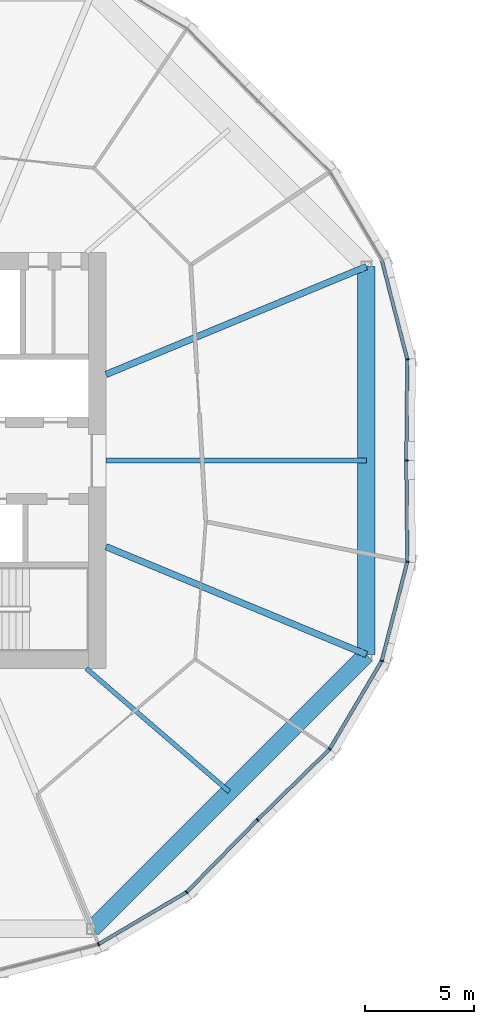
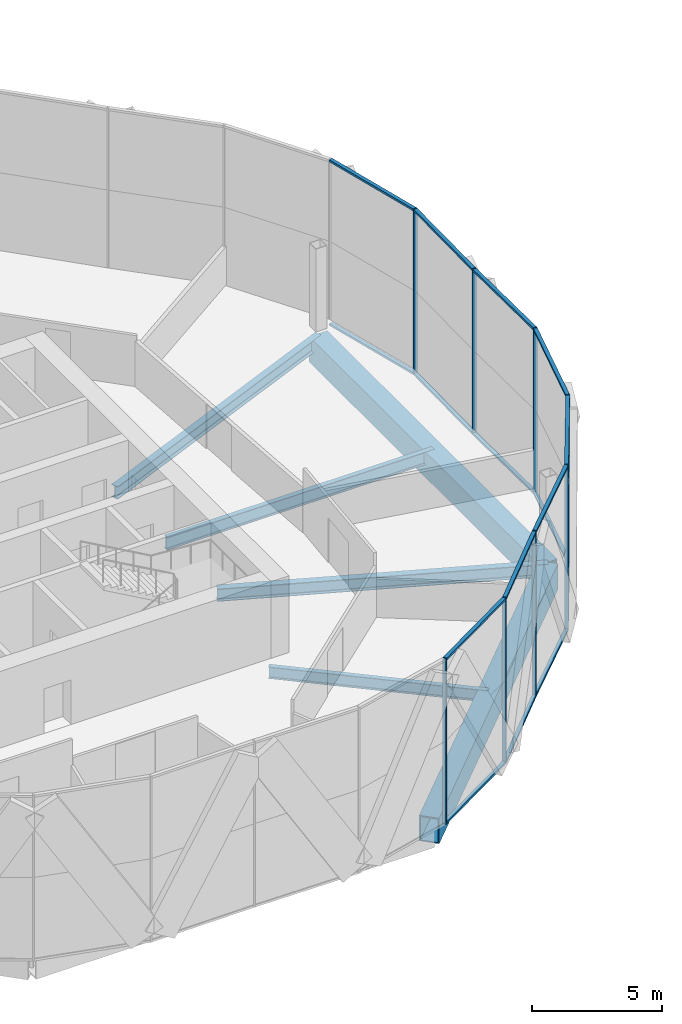
# One storey, part 6 of 31: 24 members, 6 beams, 3 elements without a shape of their own.
"""IFC4 building model written with IfcOpenShell, lengths in metres."""

import ifcopenshell
import ifcopenshell.guid

model = None  # the IFC model being written
_history = None  # IfcOwnerHistory: only IFC2X3 demands one
_inside = {}  # id of a spatial element -> (the spatial element, [elements in it])
_under = {}  # id of a project, library or spatial element -> (it, [spatial elements below it])
_declared = {}  # id of a project -> (the project, [libraries it declares])
_typed = {}  # id of a type object -> (the type object, [elements of that type])
_made_of = {}  # id of a material, layer set ... -> (it, [elements and type objects made of it])


def new_model(schema):
    """Start an empty IFC model of exactly this schema.

    Asked for "IFC4X3", IfcOpenShell would pick the latest addendum, in which some entities
    have other attributes; the version numbers below select the first issue.
    IFC2X3 requires an IfcOwnerHistory on every rooted entity: one is made here for all.
    """
    global model, _history
    if schema == "IFC4X3":
        model = ifcopenshell.file(schema_version=(4, 3, 0, 0))
    else:
        model = ifcopenshell.file(schema=schema)
    _inside.clear()
    _under.clear()
    _declared.clear()
    _typed.clear()
    _made_of.clear()
    _history = None
    if model.schema == "IFC2X3":
        org = make("IfcOrganization", Name="unknown")
        user = make(
            "IfcPersonAndOrganization",
            ThePerson=make("IfcPerson", FamilyName="unknown"),
            TheOrganization=org,
        )
        app = make(
            "IfcApplication",
            ApplicationDeveloper=org,
            Version="unknown",
            ApplicationFullName="unknown",
            ApplicationIdentifier="unknown",
        )
        _history = make(
            "IfcOwnerHistory",
            OwningUser=user,
            OwningApplication=app,
            ChangeAction="ADDED",
            CreationDate=0,
        )
    return model


def make(cls, **values):
    """One entity of the class cls with the attributes given. An attribute that is None is left unset."""
    return model.create_entity(
        cls, **{name: value for name, value in values.items() if value is not None}
    )


def rooted(cls, **values):
    """An entity with a GlobalId (a new one), such as an element, a storey or a relation."""
    return make(cls, GlobalId=ifcopenshell.guid.new(), OwnerHistory=_history, **values)


def si_unit(unit_type, name, prefix=None):
    """IfcSIUnit, for example si_unit("LENGTHUNIT", "METRE", prefix="MILLI")."""
    return make("IfcSIUnit", UnitType=unit_type, Prefix=prefix, Name=name)


def assignment(units):
    """IfcUnitAssignment: the units of a project."""
    return None if units is None else make("IfcUnitAssignment", Units=units)


def point(xyz):
    """IfcCartesianPoint."""
    return None if xyz is None else make("IfcCartesianPoint", Coordinates=xyz)


def direction(xyz):
    """IfcDirection."""
    return None if xyz is None else make("IfcDirection", DirectionRatios=xyz)


def frame(location, z_axis=None, x_axis=None):
    """IfcAxis2Placement3D, a coordinate frame: its origin and axes. An axis left out is left unset."""
    return make(
        "IfcAxis2Placement3D",
        Location=point(location),
        Axis=direction(z_axis),
        RefDirection=direction(x_axis),
    )


def frame_2d(location, x_axis=None):
    """IfcAxis2Placement2D, a coordinate frame in the plane: its origin and x axis."""
    return make(
        "IfcAxis2Placement2D", Location=point(location), RefDirection=direction(x_axis)
    )


def origin():
    """The frame at (0, 0, 0) with its axes left unset."""
    return frame((0.0, 0.0, 0.0))


def origin_2d():
    """The frame at (0, 0) in the plane with its x axis left unset."""
    return frame_2d((0.0, 0.0))


def place(relative_to, where):
    """IfcLocalPlacement: puts the frame where relative to a parent placement (None: the world)."""
    return make(
        "IfcLocalPlacement", PlacementRelTo=relative_to, RelativePlacement=where
    )


def context(
    kind, dimensions, precision=None, world=None, true_north=None, identifier=None
):
    """IfcGeometricRepresentationContext, for example the 3D "Model" context."""
    return make(
        "IfcGeometricRepresentationContext",
        ContextIdentifier=identifier,
        ContextType=kind,
        CoordinateSpaceDimension=dimensions,
        Precision=precision,
        WorldCoordinateSystem=world,
        TrueNorth=true_north,
    )


def subcontext(parent, identifier, kind, view, scale=None):
    """IfcGeometricRepresentationSubContext, for example "Body" below "Model"."""
    return make(
        "IfcGeometricRepresentationSubContext",
        ContextIdentifier=identifier,
        ContextType=kind,
        ParentContext=parent,
        TargetScale=scale,
        TargetView=view,
    )


def project(units=None, contexts=None):
    """IfcProject with its units and contexts."""
    return rooted(
        "IfcProject",
        Name="project",
        RepresentationContexts=contexts,
        UnitsInContext=assignment(units),
    )


def spatial(cls, under=None, at=None, **own):
    """A site, building, storey or space (cls), placed at a placement, below another one or the project."""
    s = rooted(cls, ObjectPlacement=at, **own)
    if under is not None:
        _under.setdefault(under.id(), (under, []))[1].append(s)
    return s


def profile(cls, at=None, kind="AREA", **sizes):
    """A parametric profile (cls). Its sizes go by their IFC names, for example OverallWidth=200.0."""
    return make(cls, ProfileType=kind, Position=at, **sizes)


def rectangle(**sizes):
    """IfcRectangleProfileDef."""
    return profile("IfcRectangleProfileDef", **sizes)


def hollow_rectangle(**sizes):
    """IfcRectangleHollowProfileDef."""
    return profile("IfcRectangleHollowProfileDef", **sizes)


def i_section(**sizes):
    """IfcIShapeProfileDef."""
    return profile("IfcIShapeProfileDef", **sizes)


def extrude(swept, where, along, depth):
    """IfcExtrudedAreaSolid: the profile swept, set in the frame where, extruded along a direction by depth."""
    return make(
        "IfcExtrudedAreaSolid",
        SweptArea=swept,
        Position=where,
        ExtrudedDirection=direction(along),
        Depth=depth,
    )


def shape(context_of_items, identifier, shape_type, items):
    """IfcShapeRepresentation: the items that make up one representation, for example the "Body"."""
    return make(
        "IfcShapeRepresentation",
        ContextOfItems=context_of_items,
        RepresentationIdentifier=identifier,
        RepresentationType=shape_type,
        Items=items,
    )


def material(Name=None, Category=None):
    """IfcMaterial."""
    return make("IfcMaterial", Name=Name, Category=Category)


def material_profile(
    of_material, cross_section, Name=None, Category=None, Priority=None
):
    """IfcMaterialProfile: a cross section and its material."""
    return make(
        "IfcMaterialProfile",
        Name=Name,
        Material=of_material,
        Profile=cross_section,
        Priority=Priority,
        Category=Category,
    )


def profile_set(profiles, Name=None, composite=None):
    """IfcMaterialProfileSet."""
    return make(
        "IfcMaterialProfileSet",
        Name=Name,
        MaterialProfiles=profiles,
        CompositeProfile=composite,
    )


def made_of(thing, what):
    """Note that an element or type object is made of a material, layer set ...; save() writes the relation."""
    if what is not None:
        _made_of.setdefault(what.id(), (what, []))[1].append(thing)
    return thing


def type_object(cls, material=None, **own):
    """A type object (cls), such as IfcWallType, which elements share."""
    return made_of(rooted(cls, **own), material)


def element(
    cls,
    number,
    at=None,
    inside=None,
    cuts=None,
    type_object=None,
    material=None,
    context=None,
    identifier="Body",
    shape_type=None,
    held_by="IfcProductDefinitionShape",
    body=None,
    shapes=None,
    **own,
):
    """One element of the class cls, such as IfcWall. Its Tag is "e" and its number.

    at: its placement. inside: the storey or other place that contains it. cuts: it is an
    opening in that element (IfcRelVoidsElement). A single representation is given by context,
    identifier, shape_type and body (its items); several are given by shapes. held_by: the class
    of the entity that holds the representations. save() writes the other relations.
    """
    e = rooted(cls, Tag="e%d" % number, ObjectPlacement=at, **own)
    if body is not None:
        shapes = [shape(context, identifier, shape_type, body)]
    if shapes is not None:
        e.Representation = make(held_by, Representations=shapes)
    if inside is not None:
        _inside.setdefault(inside.id(), (inside, []))[1].append(e)
    if cuts is not None:
        rooted(
            "IfcRelVoidsElement", RelatingBuildingElement=cuts, RelatedOpeningElement=e
        )
    if type_object is not None:
        _typed.setdefault(type_object.id(), (type_object, []))[1].append(e)
    return made_of(e, material)


def aggregate(whole, parts):
    """IfcRelAggregates: a whole, such as a stair, and the parts it consists of."""
    return rooted("IfcRelAggregates", RelatingObject=whole, RelatedObjects=parts)


def save(model, path):
    """Write the relations noted so far, then the file.

    IfcRelAggregates (storeys below a building ...), IfcRelContainedInSpatialStructure (elements
    in a storey), IfcRelDefinesByType, IfcRelAssociatesMaterial and IfcRelDeclares: one each for
    every whole, place, type object, material and project.
    """
    for whole, parts in _under.values():
        aggregate(whole, parts)
    for where, things in _inside.values():
        rooted(
            "IfcRelContainedInSpatialStructure",
            RelatedElements=things,
            RelatingStructure=where,
        )
    for kind, things in _typed.values():
        rooted("IfcRelDefinesByType", RelatedObjects=things, RelatingType=kind)
    for what, things in _made_of.values():
        rooted("IfcRelAssociatesMaterial", RelatedObjects=things, RelatingMaterial=what)
    for by, libraries in _declared.values():
        rooted("IfcRelDeclares", RelatingContext=by, RelatedDefinitions=libraries)
    model.write(path)


model = new_model("IFC4")

# Units and contexts
model_context = context("Model", 3, precision=1e-05, world=origin(), true_north=direction((0.0, 1.0)))
body_context = subcontext(model_context, "Body", "Model", "MODEL_VIEW")
ifc_project = project(units=[si_unit("LENGTHUNIT", "METRE"), si_unit("AREAUNIT", "SQUARE_METRE"), si_unit("VOLUMEUNIT", "CUBIC_METRE"), si_unit("PLANEANGLEUNIT", "RADIAN"), si_unit("MASSUNIT", "GRAM", prefix="KILO")], contexts=[model_context])

# Site, building, storey
site_placement = place(None, origin())
site = spatial("IfcSite", under=ifc_project, at=site_placement, CompositionType="ELEMENT")
building_placement = place(site_placement, origin())
building = spatial("IfcBuilding", under=site, at=building_placement, Name="Ogive Gate Towers", CompositionType="ELEMENT")
storey_placement = place(building_placement, frame((0.0, 0.0, 107.39990234375)))
storey = spatial("IfcBuildingStorey", under=building, at=storey_placement, Name="L25", CompositionType="ELEMENT", Elevation=107.39990234375)

# Beams
ifc_material_1 = material(Name="Steel SM460", Category="steel")
ifc_material_profile_1 = material_profile(ifc_material_1, hollow_rectangle(XDim=0.800048828125, YDim=1.199951171875, WallThickness=0.050048828125, at=origin_2d()), Name="BX 1200x800x50")
ifc_profile_set_1 = profile_set([ifc_material_profile_1], Name="Steel SM460")
beam_type_1 = type_object("IfcBeamType", Name="Edge girder BX 1200x800x50", PredefinedType="BEAM", material=ifc_profile_set_1)
beam_1_placement = place(storey_placement, frame((-27.136962890625, -21.39697265625, -0.89990234375), z_axis=(0.707106781187, 0.707106781187, 0.0), x_axis=(-0.707106781187, 0.707106781187, 0.0)))
element("IfcBeam", 1, at=beam_1_placement, inside=storey, type_object=beam_type_1, Name="T1/L25/SBM019", PredefinedType="BEAM", context=body_context, shape_type="SweptSolid", body=[
    extrude(hollow_rectangle(XDim=0.800048828125, YDim=1.199951171875, WallThickness=0.050048828125, at=origin_2d()), origin(), (0.0, 0.0, 1.0), 17.7255859375),
])
beam_2_placement = place(storey_placement, frame((-14.60302734375, -8.863037109375, -0.89990234375), z_axis=(0.0, 1.0, 0.0), x_axis=(-1.0, 0.0, 0.0)))
element("IfcBeam", 2, at=beam_2_placement, inside=storey, type_object=beam_type_1, Name="T1/L25/SBM020", PredefinedType="BEAM", context=body_context, shape_type="SweptSolid", body=[
    extrude(hollow_rectangle(XDim=0.800048828125, YDim=1.199951171875, WallThickness=0.050048828125, at=origin_2d()), origin(), (0.0, 0.0, 1.0), 17.72607421875),
])
ifc_material_2 = material(Name="Steel SM355", Category="steel")
ifc_material_profile_2 = material_profile(ifc_material_2, i_section(OverallWidth=0.300048828125, OverallDepth=0.590087890625, WebThickness=0.012939453125, FlangeThickness=0.02490234375, FilletRadius=0.027099609375, at=origin_2d()), Name="HE 600 A")
ifc_profile_set_2 = profile_set([ifc_material_profile_2], Name="Steel SM355")
beam_type_2 = type_object("IfcBeamType", Name="Radial floor beam HE 600 A", PredefinedType="BEAM", material=ifc_profile_set_2)
for number, where, z_axis, x_axis, name in (
    (3, (-26.5, -3.93505859375, -0.594970703125), (0.923877031545, -0.382689470177, 0.0), (0.382689470177, 0.923877031545, 0.0), "T1/L25/SBM007"),
    (4, (-26.5, 3.93505859375, -0.594970703125), (0.923877031545, 0.382689470177, 0.0), (-0.382689470177, 0.923877031545, 0.0), "T1/L25/SBM009"),
):
    element("IfcBeam", number, at=place(storey_placement, frame(where, z_axis=z_axis, x_axis=x_axis)), inside=storey, type_object=beam_type_2, Name=name, PredefinedType="BEAM", context=body_context, shape_type="SweptSolid", body=[
        extrude(i_section(OverallWidth=0.300048828125, OverallDepth=0.590087890625, WebThickness=0.012939453125, FlangeThickness=0.02490234375, FilletRadius=0.027099609375, at=origin_2d()), origin(), (0.0, 0.0, 1.0), 12.877197265625),
    ])
ifc_material_profile_3 = material_profile(ifc_material_2, i_section(OverallWidth=0.2099609375, OverallDepth=0.550048828125, WebThickness=0.010986328125, FlangeThickness=0.01708984375, FilletRadius=0.02392578125, at=origin_2d()), Name="IPE 550")
ifc_profile_set_3 = profile_set([ifc_material_profile_3], Name="Steel SM355")
beam_type_3 = type_object("IfcBeamType", Name="Radial floor beam IPE 550", PredefinedType="BEAM", material=ifc_profile_set_3)
beam_3_placement = place(storey_placement, frame((-27.39990234375, -9.5, -0.574951171875), z_axis=(0.757366499315, -0.652990034928, 0.0), x_axis=(0.652990034928, 0.757366499315, 0.0)))
element("IfcBeam", 5, at=beam_3_placement, inside=storey, type_object=beam_type_3, Name="T1/L25/SBM006", PredefinedType="BEAM", context=body_context, shape_type="SweptSolid", body=[
    extrude(i_section(OverallWidth=0.2099609375, OverallDepth=0.550048828125, WebThickness=0.010986328125, FlangeThickness=0.01708984375, FilletRadius=0.02392578125, at=origin_2d()), origin(), (0.0, 0.0, 1.0), 8.62158203125),
])
ifc_material_profile_4 = material_profile(ifc_material_2, i_section(OverallWidth=0.219970703125, OverallDepth=0.60009765625, WebThickness=0.011962890625, FlangeThickness=0.01904296875, FilletRadius=0.02392578125, at=origin_2d()), Name="IPE 600")
ifc_profile_set_4 = profile_set([ifc_material_profile_4], Name="Steel SM355")
beam_type_4 = type_object("IfcBeamType", Name="Radial floor beam IPE 600", PredefinedType="BEAM", material=ifc_profile_set_4)
beam_4_placement = place(storey_placement, frame((-26.5, 0.0, -0.599853515625), z_axis=(1.0, 0.0, 0.0), x_axis=(0.0, 1.0, 0.0)))
element("IfcBeam", 6, at=beam_4_placement, inside=storey, type_object=beam_type_4, Name="T1/L25/SBM008", PredefinedType="BEAM", context=body_context, shape_type="SweptSolid", body=[
    extrude(i_section(OverallWidth=0.219970703125, OverallDepth=0.60009765625, WebThickness=0.011962890625, FlangeThickness=0.01904296875, FilletRadius=0.02392578125, at=origin_2d()), origin(), (0.0, 0.0, 1.0), 11.89697265625),
])

# Curtain wall, members
ifc_material_3 = material(Name="Pale metal aluminium", Category="aluminium")
curtain_wall_type = type_object("IfcCurtainWallType", Name="Tower unitised wall, low zone", PredefinedType="NOTDEFINED", material=ifc_material_3)
curtain_wall_1_placement = place(storey_placement, origin())
curtain_wall_1 = element("IfcCurtainWall", 7, at=curtain_wall_1_placement, inside=storey, type_object=curtain_wall_type, Name="CW1 T1 ECW01", PredefinedType="NOTDEFINED")
ifc_material_profile_5 = material_profile(ifc_material_3, rectangle(XDim=0.159912109375, YDim=0.06005859375, at=origin_2d()), Name="60 x 160 aluminium box")
ifc_profile_set_5 = profile_set([ifc_material_profile_5], Name="Pale metal aluminium")
member_type_1 = type_object("IfcMemberType", Name="Tower unitised wall, low zone mullion 60 x 160", PredefinedType="MULLION", material=ifc_profile_set_5)
member_1_placement = place(storey_placement, frame((-12.780029296875, 0.000244140625, -0.2998046875), z_axis=(0.0, 0.0, 1.0), x_axis=(0.999950688785, -0.009930760208, 0.0)))
member_1 = element("IfcMember", 8, at=member_1_placement, type_object=member_type_1, Name="CW1 mullion", PredefinedType="MULLION", context=body_context, shape_type="SweptSolid", body=[
    extrude(rectangle(XDim=0.159912109375, YDim=0.06005859375, at=origin_2d()), origin(), (0.0, 0.0, 1.0), 7.7998046875),
])
member_2_placement = place(storey_placement, frame((-12.73388671875, 4.62158203125, -0.2998046875), z_axis=(0.0, 0.0, 1.0), x_axis=(0.99269640805, 0.120639303069, 0.0)))
member_2 = element("IfcMember", 9, at=member_2_placement, type_object=member_type_1, Name="CW1 mullion", PredefinedType="MULLION", context=body_context, shape_type="SweptSolid", body=[
    extrude(rectangle(XDim=0.159912109375, YDim=0.06005859375, at=origin_2d()), origin(), (0.0, 0.0, 1.0), 7.7998046875),
])

curtain_wall_2_placement = place(storey_placement, origin())
curtain_wall_2 = element("IfcCurtainWall", 10, at=curtain_wall_2_placement, inside=storey, type_object=curtain_wall_type, Name="CW1 T1 ECW07", PredefinedType="NOTDEFINED")
member_3_placement = place(storey_placement, frame((-26.845947265625, -22.10009765625, -0.2998046875), z_axis=(0.0, 0.0, 1.0), x_axis=(0.382683432365, -0.923879532511, 0.0)))
member_3 = element("IfcMember", 11, at=member_3_placement, type_object=member_type_1, Name="CW1 mullion", PredefinedType="MULLION", context=body_context, shape_type="SweptSolid", body=[
    extrude(rectangle(XDim=0.159912109375, YDim=0.06005859375, at=origin_2d()), origin(), (0.0, 0.0, 1.0), 7.7998046875),
])
member_4_placement = place(storey_placement, frame((-22.81640625, -19.719482421875, -0.2998046875), z_axis=(0.0, 0.0, 1.0), x_axis=(0.616637492514, -0.787247231069, 0.0)))
member_4 = element("IfcMember", 12, at=member_4_placement, type_object=member_type_1, Name="CW1 mullion", PredefinedType="MULLION", context=body_context, shape_type="SweptSolid", body=[
    extrude(rectangle(XDim=0.159912109375, YDim=0.06005859375, at=origin_2d()), origin(), (0.0, 0.0, 1.0), 7.7998046875),
])
member_5_placement = place(storey_placement, frame((-19.5810546875, -16.419189453125, -0.2998046875), z_axis=(0.0, 0.0, 1.0), x_axis=(0.714081802495, -0.700062268192, 0.0)))
member_5 = element("IfcMember", 13, at=member_5_placement, type_object=member_type_1, Name="CW1 mullion", PredefinedType="MULLION", context=body_context, shape_type="SweptSolid", body=[
    extrude(rectangle(XDim=0.159912109375, YDim=0.06005859375, at=origin_2d()), origin(), (0.0, 0.0, 1.0), 7.7998046875),
])

curtain_wall_3_placement = place(storey_placement, origin())
curtain_wall_3 = element("IfcCurtainWall", 14, at=curtain_wall_3_placement, inside=storey, type_object=curtain_wall_type, Name="CW1 T1 ECW08", PredefinedType="NOTDEFINED")
member_6_placement = place(storey_placement, frame((-16.280517578125, -13.18359375, -0.2998046875), z_axis=(0.0, 0.0, 1.0), x_axis=(0.787247231069, -0.616637492514, 0.0)))
member_6 = element("IfcMember", 15, at=member_6_placement, type_object=member_type_1, Name="CW1 mullion", PredefinedType="MULLION", context=body_context, shape_type="SweptSolid", body=[
    extrude(rectangle(XDim=0.159912109375, YDim=0.06005859375, at=origin_2d()), origin(), (0.0, 0.0, 1.0), 7.7998046875),
])
member_7_placement = place(storey_placement, frame((-13.89990234375, -9.154052734375, -0.2998046875), z_axis=(0.0, 0.0, 1.0), x_axis=(0.923879532511, -0.382683432365, 0.0)))
member_7 = element("IfcMember", 16, at=member_7_placement, type_object=member_type_1, Name="CW1 mullion", PredefinedType="MULLION", context=body_context, shape_type="SweptSolid", body=[
    extrude(rectangle(XDim=0.159912109375, YDim=0.06005859375, at=origin_2d()), origin(), (0.0, 0.0, 1.0), 7.7998046875),
])
member_8_placement = place(storey_placement, frame((-12.73388671875, -4.62158203125, -0.2998046875), z_axis=(0.0, 0.0, 1.0), x_axis=(0.99269640805, -0.120639303069, 0.0)))
member_8 = element("IfcMember", 17, at=member_8_placement, type_object=member_type_1, Name="CW1 mullion", PredefinedType="MULLION", context=body_context, shape_type="SweptSolid", body=[
    extrude(rectangle(XDim=0.159912109375, YDim=0.06005859375, at=origin_2d()), origin(), (0.0, 0.0, 1.0), 7.7998046875),
])

# Member
ifc_material_profile_6 = material_profile(ifc_material_3, rectangle(XDim=0.159912109375, YDim=0.10009765625, at=origin_2d()), Name="100 x 160 aluminium box")
ifc_profile_set_6 = profile_set([ifc_material_profile_6], Name="Pale metal aluminium")
member_type_2 = type_object("IfcMemberType", Name="Tower unitised wall, low zone transom 100 x 160", PredefinedType="USERDEFINED", material=ifc_profile_set_6)
member_9_placement = place(storey_placement, frame((-12.77978515625, 0.0302734375, 7.4501953125), z_axis=(0.009949224028, 0.999950505246, 0.0), x_axis=(-0.999950505246, 0.009949224028, 0.0)))
member_9 = element("IfcMember", 18, at=member_9_placement, type_object=member_type_2, Name="CW1 transom", ObjectType="TRANSOM", PredefinedType="USERDEFINED", context=body_context, shape_type="SweptSolid", body=[
    extrude(rectangle(XDim=0.159912109375, YDim=0.10009765625, at=origin_2d()), origin(), (0.0, 0.0, 1.0), 4.564208984375),
])

member_10_placement = place(storey_placement, frame((-12.77978515625, 0.0302734375, -0.25), z_axis=(0.009949224028, 0.999950505246, 0.0), x_axis=(-0.999950505246, 0.009949224028, 0.0)))
member_10 = element("IfcMember", 19, at=member_10_placement, type_object=member_type_2, Name="CW1 transom", ObjectType="TRANSOM", PredefinedType="USERDEFINED", context=body_context, shape_type="SweptSolid", body=[
    extrude(rectangle(XDim=0.159912109375, YDim=0.10009765625, at=origin_2d()), origin(), (0.0, 0.0, 1.0), 4.564208984375),
])

member_11_placement = place(storey_placement, frame((-12.740966796875, 4.648193359375, 7.4501953125), z_axis=(-0.24913722869, 0.968468193221, 0.0), x_axis=(-0.968468193221, -0.24913722869, 0.0)))
member_11 = element("IfcMember", 20, at=member_11_placement, type_object=member_type_2, Name="CW1 transom", ObjectType="TRANSOM", PredefinedType="USERDEFINED", context=body_context, shape_type="SweptSolid", body=[
    extrude(rectangle(XDim=0.159912109375, YDim=0.10009765625, at=origin_2d()), origin(), (0.0, 0.0, 1.0), 4.625244140625),
])

member_12_placement = place(storey_placement, frame((-12.740966796875, 4.648193359375, -0.25), z_axis=(-0.24913722869, 0.968468193221, 0.0), x_axis=(-0.968468193221, -0.24913722869, 0.0)))
member_12 = element("IfcMember", 21, at=member_12_placement, type_object=member_type_2, Name="CW1 transom", ObjectType="TRANSOM", PredefinedType="USERDEFINED", context=body_context, shape_type="SweptSolid", body=[
    extrude(rectangle(XDim=0.159912109375, YDim=0.10009765625, at=origin_2d()), origin(), (0.0, 0.0, 1.0), 4.625244140625),
])

aggregate(curtain_wall_1, [member_1, member_2, member_9, member_10, member_11, member_12])

member_13_placement = place(storey_placement, frame((-26.822509765625, -22.086181640625, 7.4501953125), z_axis=(0.860970657685, 0.508654624087, 0.0), x_axis=(-0.508654624087, 0.860970657685, 0.0)))
member_13 = element("IfcMember", 22, at=member_13_placement, type_object=member_type_2, Name="CW1 transom", ObjectType="TRANSOM", PredefinedType="USERDEFINED", context=body_context, shape_type="SweptSolid", body=[
    extrude(rectangle(XDim=0.159912109375, YDim=0.10009765625, at=origin_2d()), origin(), (0.0, 0.0, 1.0), 4.62548828125),
])

member_14_placement = place(storey_placement, frame((-26.822509765625, -22.086181640625, -0.25), z_axis=(0.860970657685, 0.508654624087, 0.0), x_axis=(-0.508654624087, 0.860970657685, 0.0)))
member_14 = element("IfcMember", 23, at=member_14_placement, type_object=member_type_2, Name="CW1 transom", ObjectType="TRANSOM", PredefinedType="USERDEFINED", context=body_context, shape_type="SweptSolid", body=[
    extrude(rectangle(XDim=0.159912109375, YDim=0.10009765625, at=origin_2d()), origin(), (0.0, 0.0, 1.0), 4.62548828125),
])

member_15_placement = place(storey_placement, frame((-22.79736328125, -19.699951171875, 7.4501953125), z_axis=(0.700064993467, 0.714079130714, 0.0), x_axis=(-0.714079130714, 0.700064993467, 0.0)))
member_15 = element("IfcMember", 24, at=member_15_placement, type_object=member_type_2, Name="CW1 transom", ObjectType="TRANSOM", PredefinedType="USERDEFINED", context=body_context, shape_type="SweptSolid", body=[
    extrude(rectangle(XDim=0.159912109375, YDim=0.10009765625, at=origin_2d()), origin(), (0.0, 0.0, 1.0), 4.564208984375),
])

member_16_placement = place(storey_placement, frame((-22.79736328125, -19.699951171875, -0.25), z_axis=(0.700064993467, 0.714079130714, 0.0), x_axis=(-0.714079130714, 0.700064993467, 0.0)))
member_16 = element("IfcMember", 25, at=member_16_placement, type_object=member_type_2, Name="CW1 transom", ObjectType="TRANSOM", PredefinedType="USERDEFINED", context=body_context, shape_type="SweptSolid", body=[
    extrude(rectangle(XDim=0.159912109375, YDim=0.10009765625, at=origin_2d()), origin(), (0.0, 0.0, 1.0), 4.564208984375),
])

aggregate(curtain_wall_2, [member_3, member_4, member_13, member_14, member_5, member_15, member_16])

member_17_placement = place(storey_placement, frame((-19.559326171875, -16.39794921875, 7.4501953125), z_axis=(0.714079130714, 0.700064993467, 0.0), x_axis=(-0.700064993467, 0.714079130714, 0.0)))
member_17 = element("IfcMember", 26, at=member_17_placement, type_object=member_type_2, Name="CW1 transom", ObjectType="TRANSOM", PredefinedType="USERDEFINED", context=body_context, shape_type="SweptSolid", body=[
    extrude(rectangle(XDim=0.159912109375, YDim=0.10009765625, at=origin_2d()), origin(), (0.0, 0.0, 1.0), 4.564208984375),
])

member_18_placement = place(storey_placement, frame((-19.559326171875, -16.39794921875, -0.25), z_axis=(0.714079130714, 0.700064993467, 0.0), x_axis=(-0.700064993467, 0.714079130714, 0.0)))
member_18 = element("IfcMember", 27, at=member_18_placement, type_object=member_type_2, Name="CW1 transom", ObjectType="TRANSOM", PredefinedType="USERDEFINED", context=body_context, shape_type="SweptSolid", body=[
    extrude(rectangle(XDim=0.159912109375, YDim=0.10009765625, at=origin_2d()), origin(), (0.0, 0.0, 1.0), 4.564208984375),
])

member_19_placement = place(storey_placement, frame((-16.2666015625, -13.159912109375, 7.4501953125), z_axis=(0.508654624087, 0.860970657685, 0.0), x_axis=(-0.860970657685, 0.508654624087, 0.0)))
member_19 = element("IfcMember", 28, at=member_19_placement, type_object=member_type_2, Name="CW1 transom", ObjectType="TRANSOM", PredefinedType="USERDEFINED", context=body_context, shape_type="SweptSolid", body=[
    extrude(rectangle(XDim=0.159912109375, YDim=0.10009765625, at=origin_2d()), origin(), (0.0, 0.0, 1.0), 4.62548828125),
])

member_20_placement = place(storey_placement, frame((-16.2666015625, -13.159912109375, -0.25), z_axis=(0.508654624087, 0.860970657685, 0.0), x_axis=(-0.860970657685, 0.508654624087, 0.0)))
member_20 = element("IfcMember", 29, at=member_20_placement, type_object=member_type_2, Name="CW1 transom", ObjectType="TRANSOM", PredefinedType="USERDEFINED", context=body_context, shape_type="SweptSolid", body=[
    extrude(rectangle(XDim=0.159912109375, YDim=0.10009765625, at=origin_2d()), origin(), (0.0, 0.0, 1.0), 4.62548828125),
])

member_21_placement = place(storey_placement, frame((-13.893310546875, -9.127685546875, 7.4501953125), z_axis=(0.24913722869, 0.968468193221, 0.0), x_axis=(-0.968468193221, 0.24913722869, 0.0)))
member_21 = element("IfcMember", 30, at=member_21_placement, type_object=member_type_2, Name="CW1 transom", ObjectType="TRANSOM", PredefinedType="USERDEFINED", context=body_context, shape_type="SweptSolid", body=[
    extrude(rectangle(XDim=0.159912109375, YDim=0.10009765625, at=origin_2d()), origin(), (0.0, 0.0, 1.0), 4.625244140625),
])

member_22_placement = place(storey_placement, frame((-13.893310546875, -9.127685546875, -0.25), z_axis=(0.24913722869, 0.968468193221, 0.0), x_axis=(-0.968468193221, 0.24913722869, 0.0)))
member_22 = element("IfcMember", 31, at=member_22_placement, type_object=member_type_2, Name="CW1 transom", ObjectType="TRANSOM", PredefinedType="USERDEFINED", context=body_context, shape_type="SweptSolid", body=[
    extrude(rectangle(XDim=0.159912109375, YDim=0.10009765625, at=origin_2d()), origin(), (0.0, 0.0, 1.0), 4.625244140625),
])

member_23_placement = place(storey_placement, frame((-12.734375, -4.59423828125, 7.4501953125), z_axis=(-0.009949224028, 0.999950505246, 0.0), x_axis=(-0.999950505246, -0.009949224028, 0.0)))
member_23 = element("IfcMember", 32, at=member_23_placement, type_object=member_type_2, Name="CW1 transom", ObjectType="TRANSOM", PredefinedType="USERDEFINED", context=body_context, shape_type="SweptSolid", body=[
    extrude(rectangle(XDim=0.159912109375, YDim=0.10009765625, at=origin_2d()), origin(), (0.0, 0.0, 1.0), 4.564208984375),
])

member_24_placement = place(storey_placement, frame((-12.734375, -4.59423828125, -0.25), z_axis=(-0.009949224028, 0.999950505246, 0.0), x_axis=(-0.999950505246, -0.009949224028, 0.0)))
member_24 = element("IfcMember", 33, at=member_24_placement, type_object=member_type_2, Name="CW1 transom", ObjectType="TRANSOM", PredefinedType="USERDEFINED", context=body_context, shape_type="SweptSolid", body=[
    extrude(rectangle(XDim=0.159912109375, YDim=0.10009765625, at=origin_2d()), origin(), (0.0, 0.0, 1.0), 4.564208984375),
])

aggregate(curtain_wall_3, [member_6, member_17, member_18, member_7, member_19, member_20, member_8, member_21, member_22, member_23, member_24])

save(model, "model.ifc")
